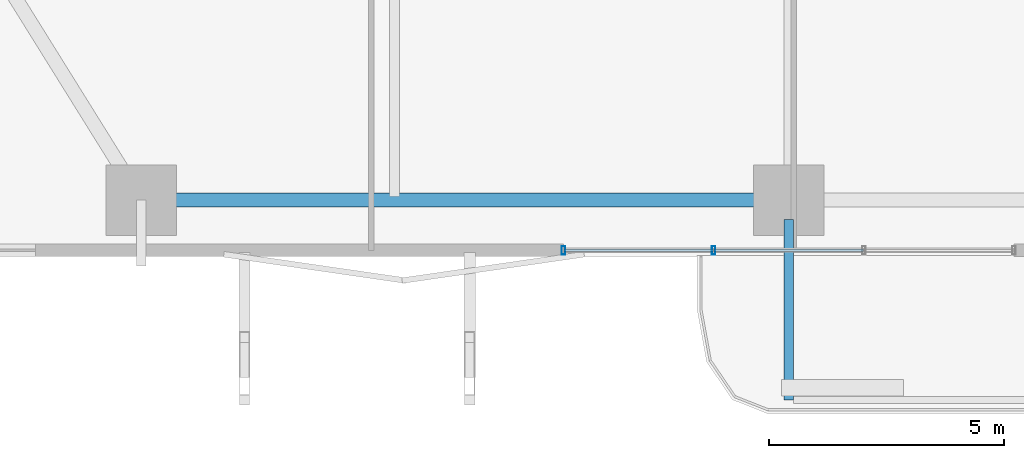
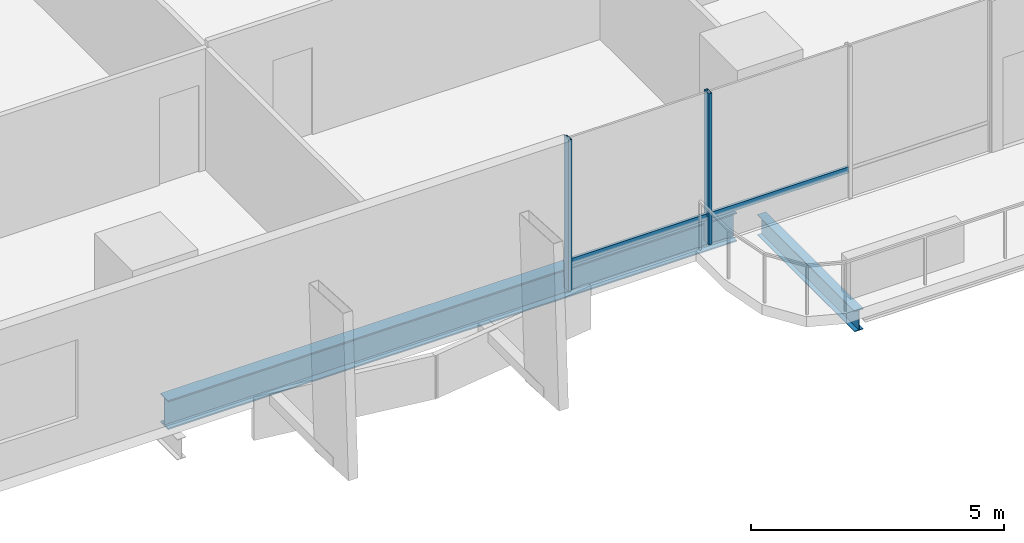
# One storey, part 2 of 24: 4 members, 2 beams, 1 element without a shape of its own.
"""IFC4 building model written with IfcOpenShell, lengths in metres."""

from ifc_helpers import new_model, si_unit, direction, frame, origin, origin_2d, place, context, subcontext, project, spatial, hollow_rectangle, i_section, extrude, material, layer, layer_set, material_profile, profile_set, type_object, element, aggregate, save


model = new_model("IFC4")

# Units and contexts
model_context = context("Model", 3, precision=1e-05, world=origin(), true_north=direction((0.0, 1.0)))
body_context = subcontext(model_context, "Body", "Model", "MODEL_VIEW")
ifc_project = project(units=[si_unit("LENGTHUNIT", "METRE"), si_unit("AREAUNIT", "SQUARE_METRE"), si_unit("VOLUMEUNIT", "CUBIC_METRE"), si_unit("PLANEANGLEUNIT", "RADIAN"), si_unit("MASSUNIT", "GRAM", prefix="KILO")], contexts=[model_context])

# Site, building, storey
site_placement = place(None, origin())
site = spatial("IfcSite", under=ifc_project, at=site_placement, CompositionType="ELEMENT")
building_placement = place(site_placement, origin())
building = spatial("IfcBuilding", under=site, at=building_placement, Name="Belovzor Exchange Tower", CompositionType="ELEMENT")
storey_placement = place(building_placement, frame((0.0, 0.0, 49.5)))
storey = spatial("IfcBuildingStorey", under=building, at=storey_placement, Name="L11", CompositionType="ELEMENT", Elevation=49.5)

# Beam
ifc_material_1 = material(Name="Steel S355", Category="steel")
ifc_material_profile_1 = material_profile(ifc_material_1, i_section(OverallWidth=0.199951171875, OverallDepth=0.5, WebThickness=0.01025390625, FlangeThickness=0.01611328125, at=origin_2d()))
ifc_profile_set_1 = profile_set([ifc_material_profile_1], Name="Steel S355")
beam_type_1 = type_object("IfcBeamType", Name="Planted Balcony Cantilever Beam IPE 500", PredefinedType="BEAM", material=ifc_profile_set_1)
beam_1_placement = place(storey_placement, frame((28.800048828125, 1.68798828125, -0.5), z_axis=(0.0, -1.0, 0.0), x_axis=(1.0, 0.0, 0.0)))
element("IfcBeam", 1, at=beam_1_placement, inside=storey, type_object=beam_type_1, Name="BC-500 Planted Balcony Cantilever Beam IPE 500", PredefinedType="BEAM", context=body_context, shape_type="SweptSolid", body=[
    extrude(i_section(OverallWidth=0.199951171875, OverallDepth=0.5, WebThickness=0.01025390625, FlangeThickness=0.01611328125, at=origin_2d()), origin(), (0.0, 0.0, 1.0), 3.85009765625),
])

# Curtain wall, members
ifc_material_2 = material(Name="Anodised Aluminium Framing", Category="aluminium")
ifc_layer = layer(ifc_material_2, 0.179931640625)
ifc_layer_set = layer_set([ifc_layer], Name="Anodised Aluminium Framing")
curtain_wall_type = type_object("IfcCurtainWallType", Name="Recessed Loggia Low-Iron Triple-Glazed Curtain Wall", PredefinedType="NOTDEFINED", material=ifc_layer_set)
curtain_wall_placement = place(storey_placement, origin())
curtain_wall = element("IfcCurtainWall", 2, at=curtain_wall_placement, inside=storey, type_object=curtain_wall_type, Name="CW3 Recessed Loggia Low-Iron Triple-Glazed Curtain Wall L11", PredefinedType="NOTDEFINED")
ifc_material_3 = material(Name="Steel S355", Category="steel")
ifc_material_profile_2 = material_profile(ifc_material_3, hollow_rectangle(XDim=0.074951171875, YDim=0.179931640625, WallThickness=0.0048828125, at=origin_2d()))
ifc_profile_set_2 = profile_set([ifc_material_profile_2], Name="Steel S355")
member_type_1 = type_object("IfcMemberType", Name="Thermally Broken Curtain Wall Mullion 180x75", PredefinedType="MULLION", material=ifc_profile_set_2)
member_1_placement = place(storey_placement, frame((27.199951171875, 1.030029296875, 0.0), z_axis=(0.0, 0.0, 1.0), x_axis=(-1.0, 0.0, 0.0)))
member_1 = element("IfcMember", 3, at=member_1_placement, type_object=member_type_1, Name="CW-M180 Curtain Wall Mullion 3", PredefinedType="MULLION", context=body_context, shape_type="SweptSolid", body=[
    extrude(hollow_rectangle(XDim=0.074951171875, YDim=0.179931640625, WallThickness=0.0048828125, at=origin_2d()), origin(), (0.0, 0.0, 1.0), 3.64990234375),
])
member_2_placement = place(storey_placement, frame((24.0, 1.030029296875, 0.0), z_axis=(0.0, 0.0, 1.0), x_axis=(-1.0, 0.0, 0.0)))
member_2 = element("IfcMember", 4, at=member_2_placement, type_object=member_type_1, Name="CW-M180 Curtain Wall Mullion 4", PredefinedType="MULLION", context=body_context, shape_type="SweptSolid", body=[
    extrude(hollow_rectangle(XDim=0.074951171875, YDim=0.179931640625, WallThickness=0.0048828125, at=origin_2d()), origin(), (0.0, 0.0, 1.0), 3.64990234375),
])
ifc_material_4 = material(Name="Steel S355", Category="steel")
ifc_material_profile_3 = material_profile(ifc_material_4, hollow_rectangle(XDim=0.06005859375, YDim=0.14990234375, WallThickness=0.00390625, at=origin_2d()))
ifc_profile_set_3 = profile_set([ifc_material_profile_3], Name="Steel S355")
member_type_2 = type_object("IfcMemberType", Name="Thermally Broken Curtain Wall Transom 150x60", PredefinedType="USERDEFINED", material=ifc_profile_set_3)
member_3_placement = place(storey_placement, frame((30.39208984375, 1.030029296875, 0.64990234375), z_axis=(-1.0, 0.0, 0.0), x_axis=(0.0, -1.0, 0.0)))
member_3 = element("IfcMember", 5, at=member_3_placement, type_object=member_type_2, Name="CW-T150 Curtain Wall Transom 2", ObjectType="TRANSOM", PredefinedType="USERDEFINED", context=body_context, shape_type="SweptSolid", body=[
    extrude(hollow_rectangle(XDim=0.06005859375, YDim=0.14990234375, WallThickness=0.00390625, at=origin_2d()), origin(), (0.0, 0.0, 1.0), 3.18408203125),
])
member_4_placement = place(storey_placement, frame((27.19189453125, 1.030029296875, 0.64990234375), z_axis=(-1.0, 0.0, 0.0), x_axis=(0.0, -1.0, 0.0)))
member_4 = element("IfcMember", 6, at=member_4_placement, type_object=member_type_2, Name="CW-T150 Curtain Wall Transom 3", ObjectType="TRANSOM", PredefinedType="USERDEFINED", context=body_context, shape_type="SweptSolid", body=[
    extrude(hollow_rectangle(XDim=0.06005859375, YDim=0.14990234375, WallThickness=0.00390625, at=origin_2d()), origin(), (0.0, 0.0, 1.0), 3.183837890625),
])
aggregate(curtain_wall, [member_1, member_2, member_3, member_4])

# Beam
ifc_material_5 = material(Name="Steel S355", Category="steel")
ifc_material_profile_4 = material_profile(ifc_material_5, i_section(OverallWidth=0.300048828125, OverallDepth=0.699951171875, WebThickness=0.01708984375, FlangeThickness=0.031982421875, at=origin_2d()))
ifc_profile_set_4 = profile_set([ifc_material_profile_4], Name="Steel S355")
beam_type_2 = type_object("IfcBeamType", Name="Zone 1 Primary Perimeter Girder HEB 700", PredefinedType="BEAM", material=ifc_profile_set_4)
beam_2_placement = place(storey_placement, frame((15.412109375, 2.10009765625, -0.60009765625), z_axis=(1.0, 0.0, 0.0), x_axis=(0.0, 1.0, 0.0)))
element("IfcBeam", 7, at=beam_2_placement, inside=storey, type_object=beam_type_2, Name="FG-Z1 Zone 1 Primary Perimeter Girder HEB 700", PredefinedType="BEAM", context=body_context, shape_type="SweptSolid", body=[
    extrude(i_section(OverallWidth=0.300048828125, OverallDepth=0.699951171875, WebThickness=0.01708984375, FlangeThickness=0.031982421875, at=origin_2d()), origin(), (0.0, 0.0, 1.0), 12.974853515625),
])

save(model, "model.ifc")
